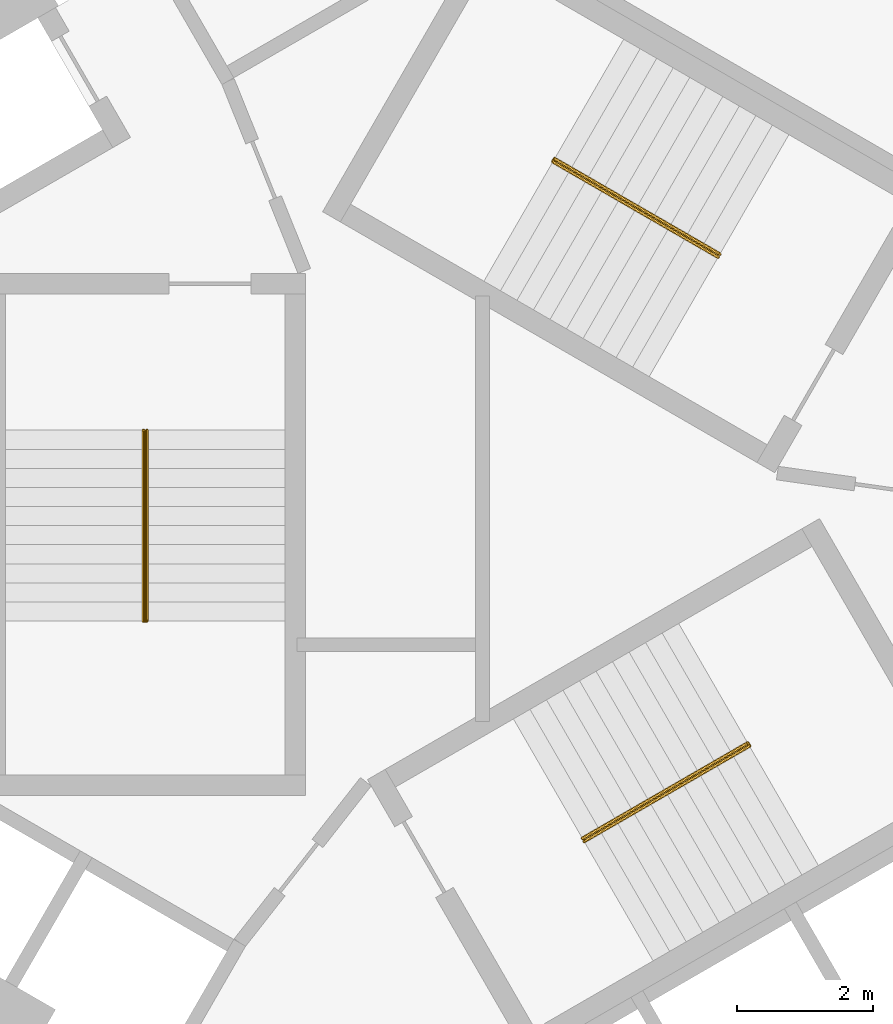
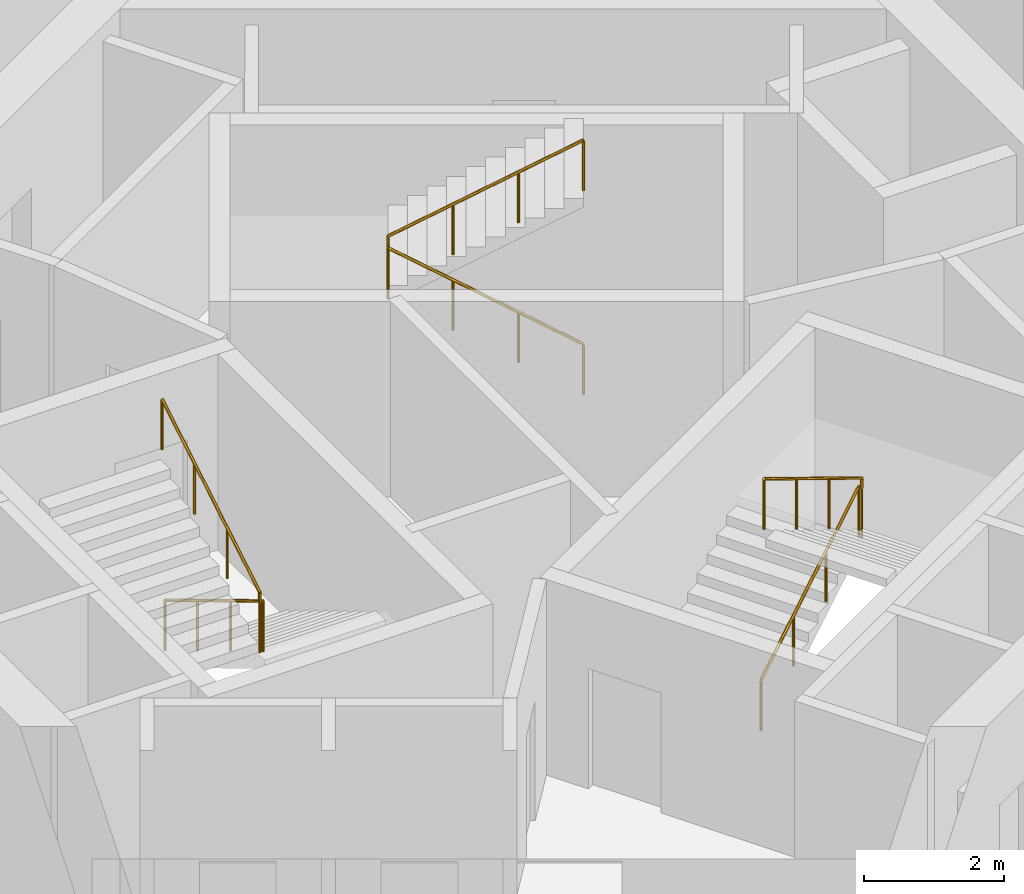
# One storey, part 10 of 10: 3 railings.
"""IFC4 building model written with IfcOpenShell, lengths in metres."""

from ifc_helpers import new_model, si_unit, direction, frame, origin, origin_2d, place, context, subcontext, project, spatial, circle, extrude, material, type_object, element, save


model = new_model("IFC4")

# Units and contexts
model_context = context("Model", 3, precision=1e-05, world=origin(), true_north=direction((0.0, 1.0)))
body_context = subcontext(model_context, "Body", "Model", "MODEL_VIEW")
ifc_project = project(units=[si_unit("LENGTHUNIT", "METRE"), si_unit("AREAUNIT", "SQUARE_METRE"), si_unit("VOLUMEUNIT", "CUBIC_METRE"), si_unit("PLANEANGLEUNIT", "RADIAN"), si_unit("MASSUNIT", "GRAM", prefix="KILO")], contexts=[model_context])

# Site, building, storey
site_placement = place(None, origin())
site = spatial("IfcSite", under=ifc_project, at=site_placement, CompositionType="ELEMENT")
building_placement = place(site_placement, origin())
building = spatial("IfcBuilding", under=site, at=building_placement, Name="Vanh Sen Convention Tower", CompositionType="ELEMENT")
storey_placement = place(building_placement, frame((0.0, 0.0, 263.5)))
storey = spatial("IfcBuildingStorey", under=building, at=storey_placement, Name="L65", CompositionType="ELEMENT", Elevation=263.5)

# Railings
ifc_material = material(Name="Stainless steel handrail", Category="steel")
railing_type = type_object("IfcRailingType", Name="Stair handrail 900", PredefinedType="HANDRAIL", material=ifc_material)
railing_1_placement = place(storey_placement, frame((3.45849609375, 3.690185546875, 0.168212890625)))
element("IfcRailing", 1, at=railing_1_placement, inside=storey, type_object=railing_type, Name="Stair handrail ST1 L65", PredefinedType="HANDRAIL", context=body_context, shape_type="SweptSolid", body=[
    extrude(circle(Radius=0.02392578125, at=origin_2d()), frame((0.0, 0.0, 0.8759765625), z_axis=(-0.742390482028, 0.42860119049, 0.514934356695), x_axis=(-0.49998411664, -0.866034573852, 0.0)), (0.0, 0.0, 1.0), 3.26611328125),
    extrude(circle(Radius=0.02392578125, at=origin_2d()), frame((-2.4248046875, 1.39990234375, 2.5576171875), z_axis=(0.497188445666, 0.867642581652, 0.0), x_axis=(-0.867642581652, 0.497188445666, 0.0)), (0.0, 0.0, 1.0), 0.050048828125),
    extrude(circle(Radius=0.02392578125, at=origin_2d()), frame((-2.39990234375, 1.443359375, 2.5576171875), z_axis=(0.0, 0.0, 1.0), x_axis=(1.0, 0.0, 0.0)), (0.0, 0.0, 1.0), 0.168212890625),
    extrude(circle(Radius=0.02392578125, at=origin_2d()), frame((-2.39990234375, 1.443359375, 2.72607421875), z_axis=(0.742395268701, -0.428678701772, 0.514862928999), x_axis=(0.500049511043, 0.865996816683, 0.0)), (0.0, 0.0, 1.0), 3.26611328125),
    extrude(circle(Radius=0.02099609375, at=origin_2d()), origin(), (0.0, 0.0, 1.0), 0.851806640625),
    extrude(circle(Radius=0.02099609375, at=origin_2d()), frame((-0.808349609375, 0.466552734375, 0.560546875)), (0.0, 0.0, 1.0), 0.851806640625),
    extrude(circle(Radius=0.02099609375, at=origin_2d()), frame((-1.616455078125, 0.933349609375, 1.121337890625)), (0.0, 0.0, 1.0), 0.851806640625),
    extrude(circle(Radius=0.02099609375, at=origin_2d()), frame((-2.4248046875, 1.39990234375, 1.681884765625)), (0.0, 0.0, 1.0), 0.851806640625),
    extrude(circle(Radius=0.02099609375, at=origin_2d()), frame((-2.39990234375, 1.443359375, 1.681884765625)), (0.0, 0.0, 1.0), 0.851806640625),
    extrude(circle(Radius=0.02099609375, at=origin_2d()), frame((-2.39990234375, 1.443359375, 1.85009765625)), (0.0, 0.0, 1.0), 0.851806640625),
    extrude(circle(Radius=0.02099609375, at=origin_2d()), frame((-1.591552734375, 0.9765625, 2.41064453125)), (0.0, 0.0, 1.0), 0.851806640625),
    extrude(circle(Radius=0.02099609375, at=origin_2d()), frame((-0.783447265625, 0.510009765625, 2.97119140625)), (0.0, 0.0, 1.0), 0.851806640625),
    extrude(circle(Radius=0.02099609375, at=origin_2d()), frame((0.02490234375, 0.043212890625, 3.53173828125)), (0.0, 0.0, 1.0), 0.851806640625),
])
railing_2_placement = place(storey_placement, frame((-4.925048828125, 1.14990234375, 0.168212890625)))
element("IfcRailing", 2, at=railing_2_placement, inside=storey, type_object=railing_type, Name="Stair handrail ST2 L65", PredefinedType="HANDRAIL", context=body_context, shape_type="SweptSolid", body=[
    extrude(circle(Radius=0.02392578125, at=origin_2d()), frame((0.0, 0.0, 0.8759765625), z_axis=(0.0, -0.857222391501, 0.514946377315), x_axis=(1.0, 0.0, 0.0)), (0.0, 0.0, 1.0), 3.26611328125),
    extrude(circle(Radius=0.02392578125, at=origin_2d()), frame((0.0, -2.7998046875, 2.5576171875), z_axis=(-1.0, 0.0, 0.0), x_axis=(0.0, -1.0, 0.0)), (0.0, 0.0, 1.0), 0.050048828125),
    extrude(circle(Radius=0.02392578125, at=origin_2d()), frame((-0.050048828125, -2.7998046875, 2.5576171875), z_axis=(0.0, 0.0, 1.0), x_axis=(1.0, 0.0, 0.0)), (0.0, 0.0, 1.0), 0.168212890625),
    extrude(circle(Radius=0.02392578125, at=origin_2d()), frame((-0.050048828125, -2.7998046875, 2.72607421875), z_axis=(0.0, 0.857255387014, 0.514891446264), x_axis=(-1.0, 0.0, 0.0)), (0.0, 0.0, 1.0), 3.26611328125),
    extrude(circle(Radius=0.02099609375, at=origin_2d()), origin(), (0.0, 0.0, 1.0), 0.851806640625),
    extrude(circle(Radius=0.02099609375, at=origin_2d()), frame((0.0, -0.933349609375, 0.560546875)), (0.0, 0.0, 1.0), 0.851806640625),
    extrude(circle(Radius=0.02099609375, at=origin_2d()), frame((0.0, -1.866455078125, 1.121337890625)), (0.0, 0.0, 1.0), 0.851806640625),
    extrude(circle(Radius=0.02099609375, at=origin_2d()), frame((0.0, -2.7998046875, 1.681884765625)), (0.0, 0.0, 1.0), 0.851806640625),
    extrude(circle(Radius=0.02099609375, at=origin_2d()), frame((-0.050048828125, -2.7998046875, 1.681884765625)), (0.0, 0.0, 1.0), 0.851806640625),
    extrude(circle(Radius=0.02099609375, at=origin_2d()), frame((-0.050048828125, -2.7998046875, 1.85009765625)), (0.0, 0.0, 1.0), 0.851806640625),
    extrude(circle(Radius=0.02099609375, at=origin_2d()), frame((-0.050048828125, -1.866455078125, 2.41064453125)), (0.0, 0.0, 1.0), 0.851806640625),
    extrude(circle(Radius=0.02099609375, at=origin_2d()), frame((-0.050048828125, -0.933349609375, 2.97119140625)), (0.0, 0.0, 1.0), 0.851806640625),
    extrude(circle(Radius=0.02099609375, at=origin_2d()), frame((-0.050048828125, 0.0, 3.53173828125)), (0.0, 0.0, 1.0), 0.851806640625),
])
railing_3_placement = place(storey_placement, frame((1.466552734375, -4.840087890625, 0.168212890625)))
element("IfcRailing", 3, at=railing_3_placement, inside=storey, type_object=railing_type, Name="Stair handrail ST3 L65", PredefinedType="HANDRAIL", context=body_context, shape_type="SweptSolid", body=[
    extrude(circle(Radius=0.02392578125, at=origin_2d()), frame((0.0, 0.0, 0.8759765625), z_axis=(0.742390482028, 0.42860119049, 0.514934356695), x_axis=(-0.49998411664, 0.866034573852, 0.0)), (0.0, 0.0, 1.0), 3.26611328125),
    extrude(circle(Radius=0.02392578125, at=origin_2d()), frame((2.4248046875, 1.39990234375, 2.5576171875), z_axis=(0.502959906984, -0.86430974307, 0.0), x_axis=(0.86430974307, 0.502959906984, 0.0)), (0.0, 0.0, 1.0), 0.050048828125),
    extrude(circle(Radius=0.02392578125, at=origin_2d()), frame((2.449951171875, 1.356689453125, 2.5576171875), z_axis=(0.0, 0.0, 1.0), x_axis=(1.0, 0.0, 0.0)), (0.0, 0.0, 1.0), 0.168212890625),
    extrude(circle(Radius=0.02392578125, at=origin_2d()), frame((2.449951171875, 1.356689453125, 2.72607421875), z_axis=(-0.742395268701, -0.428678701772, 0.514862928999), x_axis=(0.500049511043, -0.865996816683, 0.0)), (0.0, 0.0, 1.0), 3.26611328125),
    extrude(circle(Radius=0.02099609375, at=origin_2d()), origin(), (0.0, 0.0, 1.0), 0.851806640625),
    extrude(circle(Radius=0.02099609375, at=origin_2d()), frame((0.808349609375, 0.466552734375, 0.560546875)), (0.0, 0.0, 1.0), 0.851806640625),
    extrude(circle(Radius=0.02099609375, at=origin_2d()), frame((1.616455078125, 0.933349609375, 1.121337890625)), (0.0, 0.0, 1.0), 0.851806640625),
    extrude(circle(Radius=0.02099609375, at=origin_2d()), frame((2.4248046875, 1.39990234375, 1.681884765625)), (0.0, 0.0, 1.0), 0.851806640625),
    extrude(circle(Radius=0.02099609375, at=origin_2d()), frame((2.449951171875, 1.356689453125, 1.681884765625)), (0.0, 0.0, 1.0), 0.851806640625),
    extrude(circle(Radius=0.02099609375, at=origin_2d()), frame((2.449951171875, 1.356689453125, 1.85009765625)), (0.0, 0.0, 1.0), 0.851806640625),
    extrude(circle(Radius=0.02099609375, at=origin_2d()), frame((1.6416015625, 0.889892578125, 2.41064453125)), (0.0, 0.0, 1.0), 0.851806640625),
    extrude(circle(Radius=0.02099609375, at=origin_2d()), frame((0.83349609375, 0.42333984375, 2.97119140625)), (0.0, 0.0, 1.0), 0.851806640625),
    extrude(circle(Radius=0.02099609375, at=origin_2d()), frame((0.025146484375, -0.04345703125, 3.53173828125)), (0.0, 0.0, 1.0), 0.851806640625),
])

save(model, "model.ifc")
